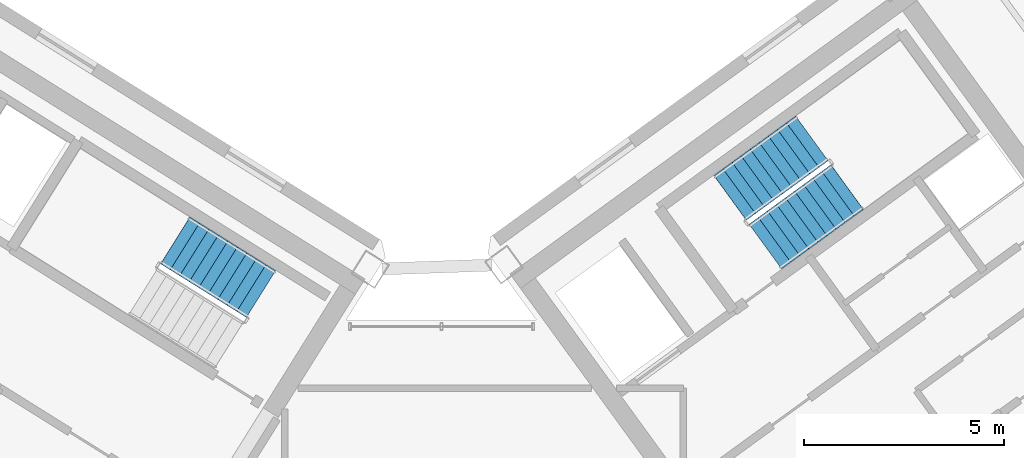
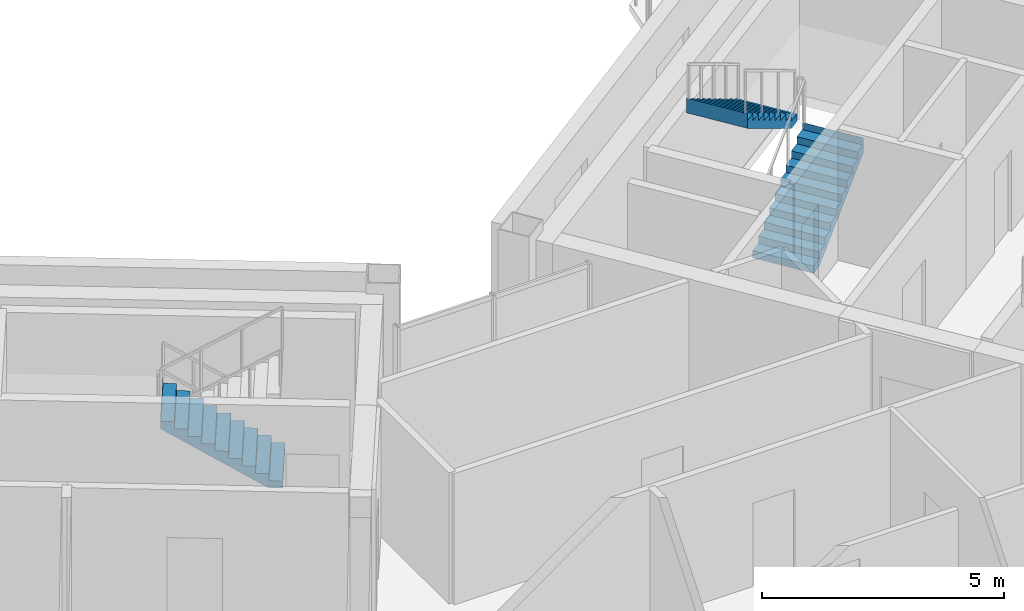
# One storey, part 21 of 25: 3 stair flights, 2 elements without a shape of their own.
"""IFC4 building model written with IfcOpenShell, lengths in metres."""

from ifc_helpers import new_model, si_unit, direction, frame, origin, place, context, subcontext, project, spatial, polyline, outline, extrude, source, transform, mapped, material, type_object, element, aggregate, save


model = new_model("IFC4")

# Units and contexts
model_context = context("Model", 3, precision=1e-05, world=origin(), true_north=direction((0.0, 1.0)))
body_context = subcontext(model_context, "Body", "Model", "MODEL_VIEW")
ifc_project = project(units=[si_unit("LENGTHUNIT", "METRE"), si_unit("AREAUNIT", "SQUARE_METRE"), si_unit("VOLUMEUNIT", "CUBIC_METRE"), si_unit("PLANEANGLEUNIT", "RADIAN"), si_unit("MASSUNIT", "GRAM", prefix="KILO")], contexts=[model_context])

# Site, building, storey
site_placement = place(None, origin())
site = spatial("IfcSite", under=ifc_project, at=site_placement, CompositionType="ELEMENT")
building_placement = place(site_placement, origin())
building = spatial("IfcBuilding", under=site, at=building_placement, Name="Tlacorven Tower", CompositionType="ELEMENT")
storey_placement = place(building_placement, frame((0.0, 0.0, 251.10009765625)))
storey = spatial("IfcBuildingStorey", under=building, at=storey_placement, Name="L63", CompositionType="ELEMENT", Elevation=251.10009765625)

# Stair, stair flight
ifc_material = material(Name="Concrete C40/50", Category="concrete")
stair_type = type_object("IfcStairType", Name="ST-CORE-DLG", PredefinedType="HALF_TURN_STAIR", material=ifc_material)
stair_1_placement = place(storey_placement, origin())
stair_1 = element("IfcStair", 1, at=stair_1_placement, inside=storey, type_object=stair_type, Name="L63 Protected Exit Stair West 2", PredefinedType="HALF_TURN_STAIR")
stair_flight_type = type_object("IfcStairFlightType", Name="SFL-RC-1380", PredefinedType="STRAIGHT", material=ifc_material)
shared_shape = source(origin(), body_context, "Body", "SweptSolid", [
    extrude(outline(polyline([(-0.0029296875, -0.0029296875), (-0.0029296875, 0.179931640625), (0.280029296875, 0.179931640625), (0.280029296875, 0.360107421875), (0.56005859375, 0.360107421875), (0.56005859375, 0.5400390625), (0.840087890625, 0.5400390625), (0.840087890625, 0.719970703125), (1.1201171875, 0.719970703125), (1.1201171875, 0.89990234375), (1.39990234375, 0.89990234375), (1.39990234375, 1.080078125), (1.679931640625, 1.080078125), (1.679931640625, 1.260009765625), (1.9599609375, 1.260009765625), (1.9599609375, 1.43994140625), (2.239990234375, 1.43994140625), (2.239990234375, 1.6201171875), (2.52001953125, 1.6201171875), (2.52001953125, 1.800048828125), (2.52294921875, 1.800048828125), (2.52294921875, 1.429931640625), (2.52001953125, 1.429931640625), (0.295654296875, 0.0), (0.295654296875, -0.0029296875), (-0.0029296875, -0.0029296875)])), frame((0.0, 0.68994140625, 0.0), z_axis=(0.0, -1.0, 0.0), x_axis=(1.0, 0.0, 0.0)), (0.0, 0.0, 1.0), 1.3798828125),
])
stair_flight_1_placement = place(storey_placement, frame((38.051513671875, 23.852294921875, 0.0), z_axis=(0.0, 0.0, 1.0), x_axis=(-0.848048096156, 0.529919264233, 0.0)))
stair_flight_1 = element("IfcStairFlight", 2, at=stair_flight_1_placement, type_object=stair_flight_type, Name="ST-W2 flight 1", NumberOfRisers=10, NumberOfTreads=9, PredefinedType="STRAIGHT", RiserHeight=0.18, TreadLength=0.28, context=body_context, shape_type="MappedRepresentation", body=[
    mapped(shared_shape, transform((0.0, 0.0, 0.0), scale=1.0)),
])
aggregate(stair_1, [stair_flight_1])

# Stair, stair flights
stair_2_placement = place(storey_placement, origin())
stair_2 = element("IfcStair", 3, at=stair_2_placement, inside=storey, type_object=stair_type, Name="L63 Protected Exit Stair East 1", PredefinedType="HALF_TURN_STAIR")
stair_flight_2_placement = place(storey_placement, frame((50.6533203125, 25.0400390625, 0.0), z_axis=(0.0, 0.0, 1.0), x_axis=(0.809016994375, 0.587785252292, 0.0)))
stair_flight_2 = element("IfcStairFlight", 4, at=stair_flight_2_placement, type_object=stair_flight_type, Name="ST-E1 flight 1", NumberOfRisers=10, NumberOfTreads=9, PredefinedType="STRAIGHT", RiserHeight=0.18, TreadLength=0.28, context=body_context, shape_type="MappedRepresentation", body=[
    mapped(shared_shape, transform((0.0, 0.0, 0.0), scale=1.0)),
])
stair_flight_3_placement = place(storey_placement, frame((51.810546875, 27.734619140625, 1.7998046875), z_axis=(0.0, 0.0, 1.0), x_axis=(-0.809016994375, -0.587785252292, 0.0)))
stair_flight_3 = element("IfcStairFlight", 5, at=stair_flight_3_placement, type_object=stair_flight_type, Name="ST-E1 flight 2", NumberOfRisers=10, NumberOfTreads=9, PredefinedType="STRAIGHT", RiserHeight=0.18, TreadLength=0.28, context=body_context, shape_type="MappedRepresentation", body=[
    mapped(shared_shape, transform((0.0, 0.0, 0.0), scale=1.0)),
])
aggregate(stair_2, [stair_flight_2, stair_flight_3])

save(model, "model.ifc")
